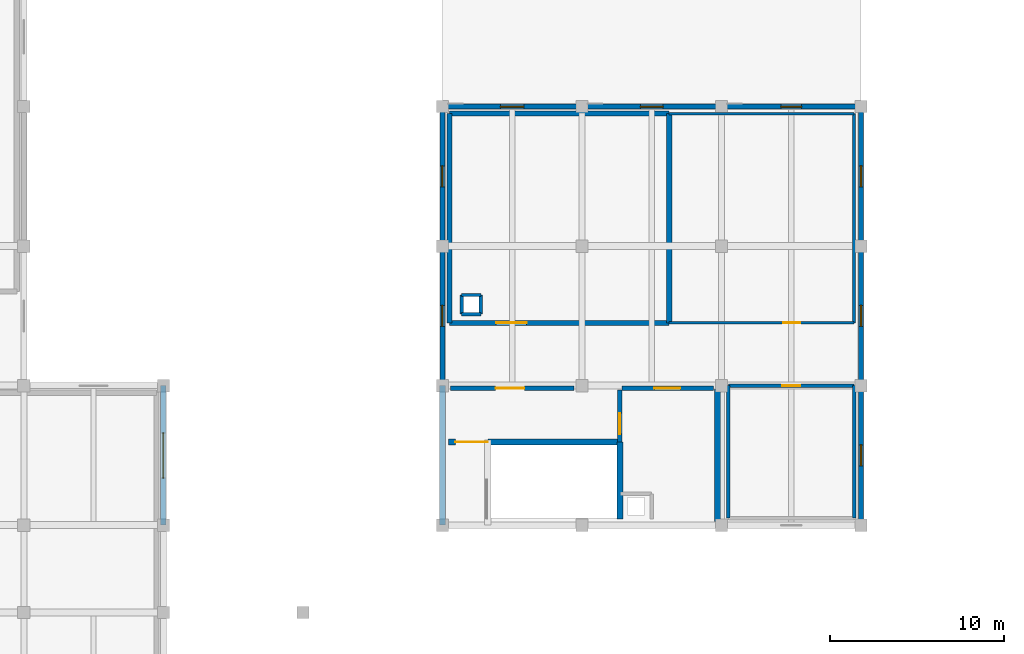
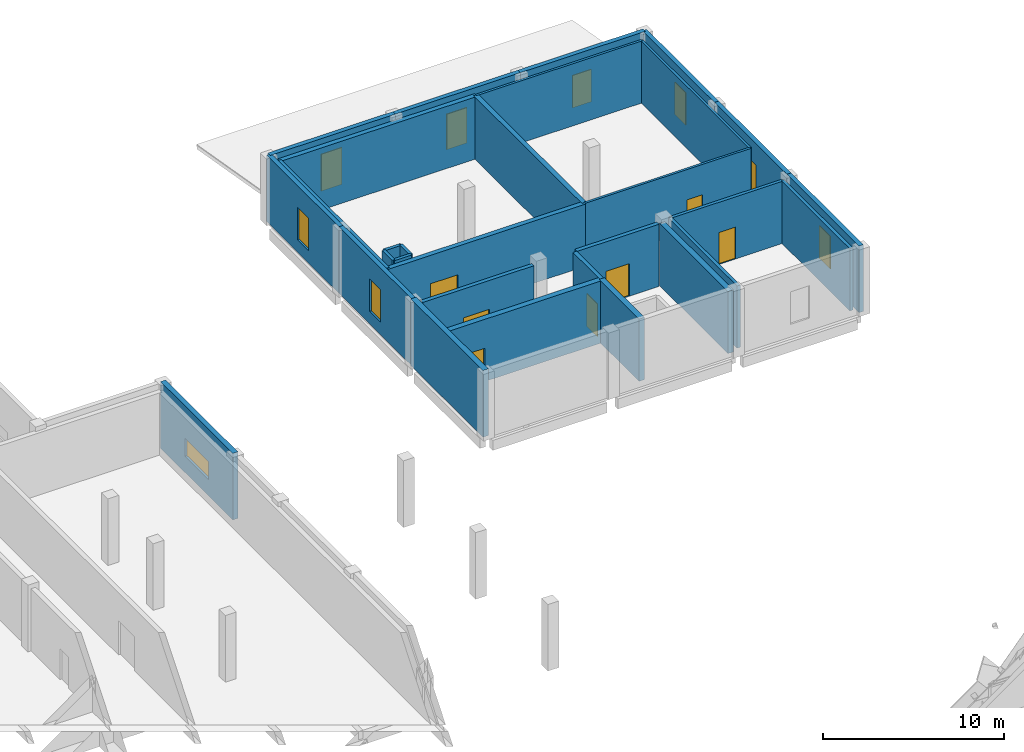
# One storey, part 26 of 37: 30 walls, 9 windows, 7 doors, 16 openings.
"""IFC4 building model written with IfcOpenShell, lengths in metres."""

from ifc_helpers import new_model, si_unit, direction, frame, frame_2d, origin, place, context, subcontext, project, spatial, rectangle, extrude, material, layer, layer_set, type_object, element, fill, save


model = new_model("IFC4")

# Units and contexts
model_context = context("Model", 3, precision=1e-05, world=origin(), true_north=direction((0.0, 1.0)))
body_context = subcontext(model_context, "Body", "Model", "MODEL_VIEW")
ifc_project = project(units=[si_unit("LENGTHUNIT", "METRE"), si_unit("AREAUNIT", "SQUARE_METRE"), si_unit("VOLUMEUNIT", "CUBIC_METRE"), si_unit("PLANEANGLEUNIT", "RADIAN"), si_unit("MASSUNIT", "GRAM", prefix="KILO")], contexts=[model_context])

# Site, building, storey
site_placement = place(None, origin())
site = spatial("IfcSite", under=ifc_project, at=site_placement, CompositionType="ELEMENT")
building_placement = place(site_placement, origin())
building = spatial("IfcBuilding", under=site, at=building_placement, Name="Qorikala Patio Media Centre", CompositionType="ELEMENT")
storey_placement = place(building_placement, frame((0.0, 0.0, 14.39990234375)))
storey = spatial("IfcBuildingStorey", under=building, at=storey_placement, Name="L03", CompositionType="ELEMENT", Elevation=14.39990234375)

# Wall, opening, door
ifc_material_1 = material(Name="Concrete C35/45", Category="concrete")
ifc_layer_1 = layer(ifc_material_1, 0.300048828125)
ifc_layer_set_1 = layer_set([ifc_layer_1], Name="Concrete C35/45")
wall_type_1 = type_object("IfcWallType", Name="WL-AC-300", PredefinedType="SHEAR", material=ifc_layer_set_1)
wall_1_placement = place(storey_placement, frame((51.39990234375, 75.60009765625, 0.0), z_axis=(0.0, 0.0, 1.0), x_axis=(1.0, 0.0, 0.0)))
wall_1 = element("IfcWall", 1, at=wall_1_placement, inside=storey, type_object=wall_type_1, Name="L03 Interior Wall WINT-L03-RAD2-S", PredefinedType="SHEAR", context=body_context, shape_type="SweptSolid", body=[
    extrude(rectangle(XDim=12.60009765625, YDim=0.300048828125, at=frame_2d((6.300048828125, 0.0))), origin(), (0.0, 0.0, 1.0), 4.2001953125),
])
opening_1_placement = place(wall_1_placement, frame((2.68408203125, 0.0, 0.0)))
opening_1 = element("IfcOpeningElement", 2, at=opening_1_placement, cuts=wall_1, Name="Opening D298", PredefinedType="OPENING", context=body_context, shape_type="SweptSolid", body=[
    extrude(rectangle(XDim=1.75, YDim=2.280029296875, at=frame_2d((0.875, 1.14013671875))), frame((0.0, 0.159912109375, 0.0), z_axis=(0.0, -1.0, 0.0), x_axis=(1.0, 0.0, 0.0)), (0.0, 0.0, 1.0), 0.320068359375),
])
ifc_material_2 = material(Name="Powder-Coated Acoustic Fire Steel", Category="steel")
door_type_1 = type_object("IfcDoorType", Name="DR-FD60-175X228", OperationType="DOUBLE_DOOR_SINGLE_SWING", PredefinedType="DOOR", material=ifc_material_2)
door_1_placement = place(opening_1_placement, origin())
door_1 = element("IfcDoor", 3, at=door_1_placement, inside=storey, type_object=door_type_1, Name="Live Radio Broadcast Studio 2 Door 087", OperationType="DOUBLE_DOOR_SINGLE_SWING", OverallHeight=2.280029296875, OverallWidth=1.75, PredefinedType="DOOR", context=body_context, shape_type="SweptSolid", body=[
    extrude(rectangle(XDim=1.75, YDim=2.280029296875, at=frame_2d((0.875, 1.14013671875))), frame((0.0, 0.02490234375, 0.0), z_axis=(0.0, -1.0, 0.0), x_axis=(1.0, 0.0, 0.0)), (0.0, 0.0, 1.0), 0.050048828125),
])
fill(opening_1, door_1)

# Walls
wall_2_placement = place(storey_placement, frame((64.0, 75.60009765625, 0.0), z_axis=(0.0, 0.0, 1.0), x_axis=(0.0, 1.0, 0.0)))
element("IfcWall", 4, at=wall_2_placement, inside=storey, type_object=wall_type_1, Name="L03 Interior Wall WINT-L03-RAD2-E", PredefinedType="SHEAR", context=body_context, shape_type="SweptSolid", body=[
    extrude(rectangle(XDim=12.0, YDim=0.300048828125, at=frame_2d((6.0, 0.0))), origin(), (0.0, 0.0, 1.0), 4.2001953125),
])
wall_3_placement = place(storey_placement, frame((51.39990234375, 87.60009765625, 0.0), z_axis=(0.0, 0.0, 1.0), x_axis=(1.0, 0.0, 0.0)))
element("IfcWall", 5, at=wall_3_placement, inside=storey, type_object=wall_type_1, Name="L03 Interior Wall WINT-L03-RAD2-N", PredefinedType="SHEAR", context=body_context, shape_type="SweptSolid", body=[
    extrude(rectangle(XDim=12.60009765625, YDim=0.300048828125, at=frame_2d((6.300048828125, 0.0))), origin(), (0.0, 0.0, 1.0), 4.2001953125),
])
wall_4_placement = place(storey_placement, frame((51.39990234375, 75.60009765625, 0.0), z_axis=(0.0, 0.0, 1.0), x_axis=(0.0, 1.0, 0.0)))
element("IfcWall", 6, at=wall_4_placement, inside=storey, type_object=wall_type_1, Name="L03 Interior Wall WINT-L03-RAD2-W", PredefinedType="SHEAR", context=body_context, shape_type="SweptSolid", body=[
    extrude(rectangle(XDim=12.0, YDim=0.300048828125, at=frame_2d((6.0, 0.0))), origin(), (0.0, 0.0, 1.0), 4.2001953125),
])
ifc_layer_2 = layer(ifc_material_1, 0.35009765625)
ifc_layer_set_2 = layer_set([ifc_layer_2], Name="Concrete C35/45")
wall_type_2 = type_object("IfcWallType", Name="WL-CORE-350", PredefinedType="SHEAR", material=ifc_layer_set_2)
wall_5_placement = place(storey_placement, frame((51.0, 64.0, 0.0), z_axis=(0.0, 0.0, 1.0), x_axis=(0.0, 1.0, 0.0)))
element("IfcWall", 7, at=wall_5_placement, inside=storey, type_object=wall_type_2, Name="L03 Core C6 Exterior Shear Wall", PredefinedType="SHEAR", context=body_context, shape_type="SweptSolid", body=[
    extrude(rectangle(XDim=8.0, YDim=0.35009765625, at=frame_2d((4.0, 0.0))), origin(), (0.0, 0.0, 1.0), 4.5),
])
wall_6_placement = place(storey_placement, frame((61.175048828125, 64.35009765625, 0.0), z_axis=(0.0, 0.0, 1.0), x_axis=(0.0, 1.0, 0.0)))
element("IfcWall", 8, at=wall_6_placement, inside=storey, type_object=wall_type_2, Name="L03 Interior Wall CW-L03-C6-SE", PredefinedType="SHEAR", context=body_context, shape_type="SweptSolid", body=[
    extrude(rectangle(XDim=4.4248046875, YDim=0.35009765625, at=frame_2d((2.21240234375, 0.0))), origin(), (0.0, 0.0, 1.0), 4.2001953125),
])
wall_7_placement = place(storey_placement, frame((66.77490234375, 64.199951171875, 0.0), z_axis=(0.0, 0.0, 1.0), x_axis=(0.0, 1.0, 0.0)))
element("IfcWall", 9, at=wall_7_placement, inside=storey, type_object=wall_type_2, Name="L03 Interior Wall CW-L03-C6-EE", PredefinedType="SHEAR", context=body_context, shape_type="SweptSolid", body=[
    extrude(rectangle(XDim=7.60009765625, YDim=0.35009765625, at=frame_2d((3.800048828125, 0.0))), origin(), (0.0, 0.0, 1.0), 4.2001953125),
])

# Wall, opening, door
wall_8_placement = place(storey_placement, frame((51.35009765625, 68.77490234375, 0.0), z_axis=(0.0, 0.0, 1.0), x_axis=(1.0, 0.0, 0.0)))
wall_8 = element("IfcWall", 10, at=wall_8_placement, inside=storey, type_object=wall_type_2, Name="L03 Interior Wall CW-L03-C6-SN", PredefinedType="SHEAR", context=body_context, shape_type="SweptSolid", body=[
    extrude(rectangle(XDim=9.824951171875, YDim=0.35009765625, at=frame_2d((4.91259765625, 0.0))), origin(), (0.0, 0.0, 1.0), 4.2001953125),
])
opening_2_placement = place(wall_8_placement, frame((0.39990234375, 0.0, 0.0)))
opening_2 = element("IfcOpeningElement", 11, at=opening_2_placement, cuts=wall_8, Name="Opening D192", PredefinedType="OPENING", context=body_context, shape_type="SweptSolid", body=[
    extrude(rectangle(XDim=1.85009765625, YDim=2.25, at=frame_2d((0.925048828125, 1.125))), frame((0.0, 0.18505859375, 0.0), z_axis=(0.0, -1.0, 0.0), x_axis=(1.0, 0.0, 0.0)), (0.0, 0.0, 1.0), 0.3701171875),
])
door_type_2 = type_object("IfcDoorType", Name="DR-FD60-185X225", OperationType="DOUBLE_DOOR_SINGLE_SWING", PredefinedType="DOOR", material=ifc_material_2)
door_2_placement = place(opening_2_placement, origin())
door_2 = element("IfcDoor", 12, at=door_2_placement, inside=storey, type_object=door_type_2, Name="L03 Stair ST-6 Fire Door", OperationType="DOUBLE_DOOR_SINGLE_SWING", OverallHeight=2.25, OverallWidth=1.85009765625, PredefinedType="DOOR", context=body_context, shape_type="SweptSolid", body=[
    extrude(rectangle(XDim=1.85009765625, YDim=2.25, at=frame_2d((0.925048828125, 1.125))), frame((0.0, 0.02490234375, 0.0), z_axis=(0.0, -1.0, 0.0), x_axis=(1.0, 0.0, 0.0)), (0.0, 0.0, 1.0), 0.050048828125),
])
fill(opening_2, door_2)

# Wall, opening, window
ifc_material_3 = material(Name="Ivory Lime Stucco and Concrete C35/45", Category="concrete")
ifc_layer_3 = layer(ifc_material_3, 0.320068359375)
ifc_layer_set_3 = layer_set([ifc_layer_3], Name="Ivory Lime Stucco and Concrete C35/45")
wall_type_3 = type_object("IfcWallType", Name="WL-EXT-320", PredefinedType="SOLIDWALL", material=ifc_layer_set_3)
wall_9_placement = place(storey_placement, frame((35.0, 72.0, 0.0), z_axis=(0.0, 0.0, 1.0), x_axis=(0.0, -1.0, 0.0)))
wall_9 = element("IfcWall", 13, at=wall_9_placement, inside=storey, type_object=wall_type_3, Name="L03 Exterior Wall WL-L03-EXT-0028", PredefinedType="SOLIDWALL", context=body_context, shape_type="SweptSolid", body=[
    extrude(rectangle(XDim=8.0, YDim=0.320068359375, at=frame_2d((4.0, 0.0))), origin(), (0.0, 0.0, 1.0), 4.5),
])
opening_3_placement = place(wall_9_placement, frame((2.699951171875, 0.0, 1.10009765625)))
opening_3 = element("IfcOpeningElement", 14, at=opening_3_placement, cuts=wall_9, Name="Opening WL-260", PredefinedType="OPENING", context=body_context, shape_type="SweptSolid", body=[
    extrude(rectangle(XDim=2.60009765625, YDim=1.199951171875, at=frame_2d((1.300048828125, 0.60009765625))), frame((0.0, 0.169921875, 0.0), z_axis=(0.0, -1.0, 0.0), x_axis=(1.0, 0.0, 0.0)), (0.0, 0.0, 1.0), 0.340087890625),
])
ifc_material_4 = material(Name="Acoustic Laminated Low-E Glass", Category="glass")
window_type_1 = type_object("IfcWindowType", Name="WN-CL-260X120", PartitioningType="SINGLE_PANEL", PredefinedType="WINDOW", material=ifc_material_4)
window_1_placement = place(opening_3_placement, origin())
window_1 = element("IfcWindow", 15, at=window_1_placement, inside=storey, type_object=window_type_1, Name="L03 High Acoustic Clerestory Window 0204", OverallHeight=1.199951171875, OverallWidth=2.60009765625, PartitioningType="SINGLE_PANEL", PredefinedType="WINDOW", context=body_context, shape_type="SweptSolid", body=[
    extrude(rectangle(XDim=2.60009765625, YDim=1.199951171875, at=frame_2d((1.300048828125, 0.60009765625))), frame((0.0, 0.030029296875, 0.0), z_axis=(0.0, -1.0, 0.0), x_axis=(1.0, 0.0, 0.0)), (0.0, 0.0, 1.0), 0.06005859375),
])
fill(opening_3, window_1)

# Wall, opening, door
ifc_layer_4 = layer(ifc_material_1, 0.25)
ifc_layer_set_4 = layer_set([ifc_layer_4], Name="Concrete C35/45")
wall_type_4 = type_object("IfcWallType", Name="WL-FFL-250", PredefinedType="PARTITIONING", material=ifc_layer_set_4)
wall_10_placement = place(storey_placement, frame((61.175048828125, 68.77490234375, 0.0), z_axis=(0.0, 0.0, 1.0), x_axis=(0.0, 1.0, 0.0)))
wall_10 = element("IfcWall", 16, at=wall_10_placement, inside=storey, type_object=wall_type_4, Name="L03 Interior Wall CW-L03-C6-LBD", PredefinedType="PARTITIONING", context=body_context, shape_type="SweptSolid", body=[
    extrude(rectangle(XDim=2.97509765625, YDim=0.25, at=frame_2d((1.487548828125, 0.0))), origin(), (0.0, 0.0, 1.0), 4.2001953125),
])
opening_4_placement = place(wall_10_placement, frame((0.449951171875, 0.0, 0.0)))
opening_4 = element("IfcOpeningElement", 17, at=opening_4_placement, cuts=wall_10, Name="Opening D193", PredefinedType="OPENING", context=body_context, shape_type="SweptSolid", body=[
    extrude(rectangle(XDim=1.199951171875, YDim=2.199951171875, at=frame_2d((0.60009765625, 1.10009765625))), frame((0.0, 0.135009765625, 0.0), z_axis=(0.0, -1.0, 0.0), x_axis=(1.0, 0.0, 0.0)), (0.0, 0.0, 1.0), 0.27001953125),
])
ifc_material_5 = material(Name="Acoustic Fire Timber and Steel", Category="steel")
door_type_3 = type_object("IfcDoorType", Name="DR-FD60-120X220", OperationType="NOTDEFINED", PredefinedType="DOOR", material=ifc_material_5)
door_3_placement = place(opening_4_placement, origin())
door_3 = element("IfcDoor", 18, at=door_3_placement, inside=storey, type_object=door_type_3, Name="L03 Core C6 Firefighting Lobby Cross Door", OperationType="SINGLE_SWING_LEFT", OverallHeight=2.199951171875, OverallWidth=1.199951171875, PredefinedType="DOOR", context=body_context, shape_type="SweptSolid", body=[
    extrude(rectangle(XDim=1.199951171875, YDim=2.199951171875, at=frame_2d((0.60009765625, 1.10009765625))), frame((0.0, 0.02490234375, 0.0), z_axis=(0.0, -1.0, 0.0), x_axis=(1.0, 0.0, 0.0)), (0.0, 0.0, 1.0), 0.050048828125),
])
fill(opening_4, door_3)

wall_11_placement = place(storey_placement, frame((51.449951171875, 71.85009765625, 0.0), z_axis=(0.0, 0.0, 1.0), x_axis=(1.0, 0.0, 0.0)))
wall_11 = element("IfcWall", 19, at=wall_11_placement, inside=storey, type_object=wall_type_4, Name="L03 Interior Wall CW-L03-C6-CN1", PredefinedType="PARTITIONING", context=body_context, shape_type="SweptSolid", body=[
    extrude(rectangle(XDim=7.10009765625, YDim=0.25, at=frame_2d((3.550048828125, 0.0))), origin(), (0.0, 0.0, 1.0), 4.2001953125),
])
opening_5_placement = place(wall_11_placement, frame((2.60009765625, 0.0, 0.0)))
opening_5 = element("IfcOpeningElement", 20, at=opening_5_placement, cuts=wall_11, Name="Opening D194", PredefinedType="OPENING", context=body_context, shape_type="SweptSolid", body=[
    extrude(rectangle(XDim=1.64990234375, YDim=2.25, at=frame_2d((0.824951171875, 1.125))), frame((0.0, 0.135009765625, 0.0), z_axis=(0.0, -1.0, 0.0), x_axis=(1.0, 0.0, 0.0)), (0.0, 0.0, 1.0), 0.27001953125),
])
door_type_4 = type_object("IfcDoorType", Name="DR-FD60-165X225", OperationType="DOUBLE_DOOR_SINGLE_SWING", PredefinedType="DOOR", material=ifc_material_2)
door_4_placement = place(opening_5_placement, frame((1.64990234375, 0.0, 0.0), z_axis=(0.0, 0.0, 1.0), x_axis=(-1.0, 0.0, 0.0)))
door_4 = element("IfcDoor", 21, at=door_4_placement, inside=storey, type_object=door_type_4, Name="L03 Core C6 Vestibule Door", OperationType="DOUBLE_DOOR_SINGLE_SWING", OverallHeight=2.25, OverallWidth=1.64990234375, PredefinedType="DOOR", context=body_context, shape_type="SweptSolid", body=[
    extrude(rectangle(XDim=1.64990234375, YDim=2.25, at=frame_2d((0.824951171875, 1.125))), frame((0.0, 0.02490234375, 0.0), z_axis=(0.0, -1.0, 0.0), x_axis=(1.0, 0.0, 0.0)), (0.0, 0.0, 1.0), 0.050048828125),
])
fill(opening_5, door_4)

wall_12_placement = place(storey_placement, frame((61.300048828125, 71.85009765625, 0.0), z_axis=(0.0, 0.0, 1.0), x_axis=(1.0, 0.0, 0.0)))
wall_12 = element("IfcWall", 22, at=wall_12_placement, inside=storey, type_object=wall_type_4, Name="L03 Interior Wall CW-L03-C6-CN2", PredefinedType="PARTITIONING", context=body_context, shape_type="SweptSolid", body=[
    extrude(rectangle(XDim=5.25, YDim=0.25, at=frame_2d((2.625, 0.0))), origin(), (0.0, 0.0, 1.0), 4.2001953125),
])
opening_6_placement = place(wall_12_placement, frame((1.85009765625, 0.0, 0.0)))
opening_6 = element("IfcOpeningElement", 23, at=opening_6_placement, cuts=wall_12, Name="Opening D195", PredefinedType="OPENING", context=body_context, shape_type="SweptSolid", body=[
    extrude(rectangle(XDim=1.5, YDim=2.199951171875, at=frame_2d((0.75, 1.10009765625))), frame((0.0, 0.135009765625, 0.0), z_axis=(0.0, -1.0, 0.0), x_axis=(1.0, 0.0, 0.0)), (0.0, 0.0, 1.0), 0.27001953125),
])
door_type_5 = type_object("IfcDoorType", Name="DR-FD60-150X220", OperationType="DOUBLE_DOOR_SINGLE_SWING", PredefinedType="DOOR", material=ifc_material_2)
door_5_placement = place(opening_6_placement, origin())
door_5 = element("IfcDoor", 24, at=door_5_placement, inside=storey, type_object=door_type_5, Name="L03 Core C6 Firefighting Lobby Door", OperationType="DOUBLE_DOOR_SINGLE_SWING", OverallHeight=2.199951171875, OverallWidth=1.5, PredefinedType="DOOR", context=body_context, shape_type="SweptSolid", body=[
    extrude(rectangle(XDim=1.5, YDim=2.199951171875, at=frame_2d((0.75, 1.10009765625))), frame((0.0, 0.02490234375, 0.0), z_axis=(0.0, -1.0, 0.0), x_axis=(1.0, 0.0, 0.0)), (0.0, 0.0, 1.0), 0.050048828125),
])
fill(opening_6, door_5)

# Wall, opening, window
ifc_material_6 = material(Name="Warm Ochre Lime Stucco and Concrete C35/45", Category="concrete")
ifc_layer_5 = layer(ifc_material_6, 0.280029296875)
ifc_layer_set_5 = layer_set([ifc_layer_5], Name="Warm Ochre Lime Stucco and Concrete C35/45")
wall_type_5 = type_object("IfcWallType", Name="WL-OCHRE-280", PredefinedType="SOLIDWALL", material=ifc_layer_set_5)
wall_13_placement = place(storey_placement, frame((75.0, 88.0, 0.0), z_axis=(0.0, 0.0, 1.0), x_axis=(0.0, -1.0, 0.0)))
wall_13 = element("IfcWall", 25, at=wall_13_placement, inside=storey, type_object=wall_type_5, Name="L03 Exterior Wall WL-L03-EXT-0035", PredefinedType="SOLIDWALL", context=body_context, shape_type="SweptSolid", body=[
    extrude(rectangle(XDim=8.0, YDim=0.280029296875, at=frame_2d((4.0, 0.0))), origin(), (0.0, 0.0, 1.0), 4.5),
])
opening_7_placement = place(wall_13_placement, frame((3.39990234375, 0.0, 0.85009765625)))
opening_7 = element("IfcOpeningElement", 26, at=opening_7_placement, cuts=wall_13, Name="Opening WC-120", PredefinedType="OPENING", context=body_context, shape_type="SweptSolid", body=[
    extrude(rectangle(XDim=1.199951171875, YDim=2.199951171875, at=frame_2d((0.60009765625, 1.10009765625))), frame((0.0, 0.14990234375, 0.0), z_axis=(0.0, -1.0, 0.0), x_axis=(1.0, 0.0, 0.0)), (0.0, 0.0, 1.0), 0.300048828125),
])
ifc_material_7 = material(Name="Bronze Anodised Aluminium and Low-E Glass", Category="aluminium")
window_type_2 = type_object("IfcWindowType", Name="WN-COL-120X220", PartitioningType="SINGLE_PANEL", PredefinedType="WINDOW", material=ifc_material_7)
window_2_placement = place(opening_7_placement, origin())
window_2 = element("IfcWindow", 27, at=window_2_placement, inside=storey, type_object=window_type_2, Name="L03 Colonial Tall Window 0207", OverallHeight=2.199951171875, OverallWidth=1.199951171875, PartitioningType="SINGLE_PANEL", PredefinedType="WINDOW", context=body_context, shape_type="SweptSolid", body=[
    extrude(rectangle(XDim=1.199951171875, YDim=2.199951171875, at=frame_2d((0.60009765625, 1.10009765625))), frame((0.0, 0.030029296875, 0.0), z_axis=(0.0, -1.0, 0.0), x_axis=(1.0, 0.0, 0.0)), (0.0, 0.0, 1.0), 0.06005859375),
])
fill(opening_7, window_2)

wall_14_placement = place(storey_placement, frame((75.0, 80.0, 0.0), z_axis=(0.0, 0.0, 1.0), x_axis=(0.0, -1.0, 0.0)))
wall_14 = element("IfcWall", 28, at=wall_14_placement, inside=storey, type_object=wall_type_5, Name="L03 Exterior Wall WL-L03-EXT-0036", PredefinedType="SOLIDWALL", context=body_context, shape_type="SweptSolid", body=[
    extrude(rectangle(XDim=8.0, YDim=0.280029296875, at=frame_2d((4.0, 0.0))), origin(), (0.0, 0.0, 1.0), 4.5),
])
opening_8_placement = place(wall_14_placement, frame((3.39990234375, 0.0, 0.85009765625)))
opening_8 = element("IfcOpeningElement", 29, at=opening_8_placement, cuts=wall_14, Name="Opening WC-120", PredefinedType="OPENING", context=body_context, shape_type="SweptSolid", body=[
    extrude(rectangle(XDim=1.199951171875, YDim=2.199951171875, at=frame_2d((0.60009765625, 1.10009765625))), frame((0.0, 0.14990234375, 0.0), z_axis=(0.0, -1.0, 0.0), x_axis=(1.0, 0.0, 0.0)), (0.0, 0.0, 1.0), 0.300048828125),
])
window_3_placement = place(opening_8_placement, origin())
window_3 = element("IfcWindow", 30, at=window_3_placement, inside=storey, type_object=window_type_2, Name="L03 Colonial Tall Window 0208", OverallHeight=2.199951171875, OverallWidth=1.199951171875, PartitioningType="SINGLE_PANEL", PredefinedType="WINDOW", context=body_context, shape_type="SweptSolid", body=[
    extrude(rectangle(XDim=1.199951171875, YDim=2.199951171875, at=frame_2d((0.60009765625, 1.10009765625))), frame((0.0, 0.030029296875, 0.0), z_axis=(0.0, -1.0, 0.0), x_axis=(1.0, 0.0, 0.0)), (0.0, 0.0, 1.0), 0.06005859375),
])
fill(opening_8, window_3)

wall_15_placement = place(storey_placement, frame((75.0, 72.0, 0.0), z_axis=(0.0, 0.0, 1.0), x_axis=(0.0, -1.0, 0.0)))
wall_15 = element("IfcWall", 31, at=wall_15_placement, inside=storey, type_object=wall_type_5, Name="L03 Exterior Wall WL-L03-EXT-0037", PredefinedType="SOLIDWALL", context=body_context, shape_type="SweptSolid", body=[
    extrude(rectangle(XDim=8.0, YDim=0.280029296875, at=frame_2d((4.0, 0.0))), origin(), (0.0, 0.0, 1.0), 4.5),
])
opening_9_placement = place(wall_15_placement, frame((3.39990234375, 0.0, 0.85009765625)))
opening_9 = element("IfcOpeningElement", 32, at=opening_9_placement, cuts=wall_15, Name="Opening WC-120", PredefinedType="OPENING", context=body_context, shape_type="SweptSolid", body=[
    extrude(rectangle(XDim=1.199951171875, YDim=2.199951171875, at=frame_2d((0.60009765625, 1.10009765625))), frame((0.0, 0.14990234375, 0.0), z_axis=(0.0, -1.0, 0.0), x_axis=(1.0, 0.0, 0.0)), (0.0, 0.0, 1.0), 0.300048828125),
])
window_4_placement = place(opening_9_placement, origin())
window_4 = element("IfcWindow", 33, at=window_4_placement, inside=storey, type_object=window_type_2, Name="L03 Colonial Tall Window 0209", OverallHeight=2.199951171875, OverallWidth=1.199951171875, PartitioningType="SINGLE_PANEL", PredefinedType="WINDOW", context=body_context, shape_type="SweptSolid", body=[
    extrude(rectangle(XDim=1.199951171875, YDim=2.199951171875, at=frame_2d((0.60009765625, 1.10009765625))), frame((0.0, 0.030029296875, 0.0), z_axis=(0.0, -1.0, 0.0), x_axis=(1.0, 0.0, 0.0)), (0.0, 0.0, 1.0), 0.06005859375),
])
fill(opening_9, window_4)

wall_16_placement = place(storey_placement, frame((51.0, 72.0, 0.0), z_axis=(0.0, 0.0, 1.0), x_axis=(0.0, 1.0, 0.0)))
wall_16 = element("IfcWall", 34, at=wall_16_placement, inside=storey, type_object=wall_type_5, Name="L03 Exterior Wall WL-L03-EXT-0042", PredefinedType="SOLIDWALL", context=body_context, shape_type="SweptSolid", body=[
    extrude(rectangle(XDim=8.0, YDim=0.280029296875, at=frame_2d((4.0, 0.0))), origin(), (0.0, 0.0, 1.0), 4.5),
])
opening_10_placement = place(wall_16_placement, frame((3.39990234375, 0.0, 0.85009765625)))
opening_10 = element("IfcOpeningElement", 35, at=opening_10_placement, cuts=wall_16, Name="Opening WC-120", PredefinedType="OPENING", context=body_context, shape_type="SweptSolid", body=[
    extrude(rectangle(XDim=1.199951171875, YDim=2.199951171875, at=frame_2d((0.60009765625, 1.10009765625))), frame((0.0, 0.14990234375, 0.0), z_axis=(0.0, -1.0, 0.0), x_axis=(1.0, 0.0, 0.0)), (0.0, 0.0, 1.0), 0.300048828125),
])
window_5_placement = place(opening_10_placement, origin())
window_5 = element("IfcWindow", 36, at=window_5_placement, inside=storey, type_object=window_type_2, Name="L03 Colonial Tall Window 0211", OverallHeight=2.199951171875, OverallWidth=1.199951171875, PartitioningType="SINGLE_PANEL", PredefinedType="WINDOW", context=body_context, shape_type="SweptSolid", body=[
    extrude(rectangle(XDim=1.199951171875, YDim=2.199951171875, at=frame_2d((0.60009765625, 1.10009765625))), frame((0.0, 0.030029296875, 0.0), z_axis=(0.0, -1.0, 0.0), x_axis=(1.0, 0.0, 0.0)), (0.0, 0.0, 1.0), 0.06005859375),
])
fill(opening_10, window_5)

wall_17_placement = place(storey_placement, frame((51.0, 80.0, 0.0), z_axis=(0.0, 0.0, 1.0), x_axis=(0.0, 1.0, 0.0)))
wall_17 = element("IfcWall", 37, at=wall_17_placement, inside=storey, type_object=wall_type_5, Name="L03 Exterior Wall WL-L03-EXT-0043", PredefinedType="SOLIDWALL", context=body_context, shape_type="SweptSolid", body=[
    extrude(rectangle(XDim=8.0, YDim=0.280029296875, at=frame_2d((4.0, 0.0))), origin(), (0.0, 0.0, 1.0), 4.5),
])
opening_11_placement = place(wall_17_placement, frame((3.39990234375, 0.0, 0.85009765625)))
opening_11 = element("IfcOpeningElement", 38, at=opening_11_placement, cuts=wall_17, Name="Opening WC-120", PredefinedType="OPENING", context=body_context, shape_type="SweptSolid", body=[
    extrude(rectangle(XDim=1.199951171875, YDim=2.199951171875, at=frame_2d((0.60009765625, 1.10009765625))), frame((0.0, 0.14990234375, 0.0), z_axis=(0.0, -1.0, 0.0), x_axis=(1.0, 0.0, 0.0)), (0.0, 0.0, 1.0), 0.300048828125),
])
window_6_placement = place(opening_11_placement, origin())
window_6 = element("IfcWindow", 39, at=window_6_placement, inside=storey, type_object=window_type_2, Name="L03 Colonial Tall Window 0212", OverallHeight=2.199951171875, OverallWidth=1.199951171875, PartitioningType="SINGLE_PANEL", PredefinedType="WINDOW", context=body_context, shape_type="SweptSolid", body=[
    extrude(rectangle(XDim=1.199951171875, YDim=2.199951171875, at=frame_2d((0.60009765625, 1.10009765625))), frame((0.0, 0.030029296875, 0.0), z_axis=(0.0, -1.0, 0.0), x_axis=(1.0, 0.0, 0.0)), (0.0, 0.0, 1.0), 0.06005859375),
])
fill(opening_11, window_6)

wall_18_placement = place(storey_placement, frame((51.0, 88.0, 0.0), z_axis=(0.0, 0.0, 1.0), x_axis=(1.0, 0.0, 0.0)))
wall_18 = element("IfcWall", 40, at=wall_18_placement, inside=storey, type_object=wall_type_5, Name="L03 Exterior Wall WL-L03-EXT-0044", PredefinedType="SOLIDWALL", context=body_context, shape_type="SweptSolid", body=[
    extrude(rectangle(XDim=8.0, YDim=0.280029296875, at=frame_2d((4.0, 0.0))), origin(), (0.0, 0.0, 1.0), 4.5),
])
opening_12_placement = place(wall_18_placement, frame((3.330078125, 0.0, 0.85009765625)))
opening_12 = element("IfcOpeningElement", 41, at=opening_12_placement, cuts=wall_18, Name="Opening WC-134", PredefinedType="OPENING", context=body_context, shape_type="SweptSolid", body=[
    extrude(rectangle(XDim=1.340087890625, YDim=2.5, at=frame_2d((0.669921875, 1.25))), frame((0.0, 0.14990234375, 0.0), z_axis=(0.0, -1.0, 0.0), x_axis=(1.0, 0.0, 0.0)), (0.0, 0.0, 1.0), 0.300048828125),
])
window_type_3 = type_object("IfcWindowType", Name="WN-COL-134X250", PartitioningType="SINGLE_PANEL", PredefinedType="WINDOW", material=ifc_material_7)
window_7_placement = place(opening_12_placement, origin())
window_7 = element("IfcWindow", 42, at=window_7_placement, inside=storey, type_object=window_type_3, Name="L03 Colonial Tall Window 0213", OverallHeight=2.5, OverallWidth=1.340087890625, PartitioningType="SINGLE_PANEL", PredefinedType="WINDOW", context=body_context, shape_type="SweptSolid", body=[
    extrude(rectangle(XDim=1.340087890625, YDim=2.5, at=frame_2d((0.669921875, 1.25))), frame((0.0, 0.030029296875, 0.0), z_axis=(0.0, -1.0, 0.0), x_axis=(1.0, 0.0, 0.0)), (0.0, 0.0, 1.0), 0.06005859375),
])
fill(opening_12, window_7)

wall_19_placement = place(storey_placement, frame((59.0, 88.0, 0.0), z_axis=(0.0, 0.0, 1.0), x_axis=(1.0, 0.0, 0.0)))
wall_19 = element("IfcWall", 43, at=wall_19_placement, inside=storey, type_object=wall_type_5, Name="L03 Exterior Wall WL-L03-EXT-0045", PredefinedType="SOLIDWALL", context=body_context, shape_type="SweptSolid", body=[
    extrude(rectangle(XDim=8.0, YDim=0.280029296875, at=frame_2d((4.0, 0.0))), origin(), (0.0, 0.0, 1.0), 4.5),
])
opening_13_placement = place(wall_19_placement, frame((3.35009765625, 0.0, 0.85009765625)))
opening_13 = element("IfcOpeningElement", 44, at=opening_13_placement, cuts=wall_19, Name="Opening WC-130", PredefinedType="OPENING", context=body_context, shape_type="SweptSolid", body=[
    extrude(rectangle(XDim=1.300048828125, YDim=2.39990234375, at=frame_2d((0.64990234375, 1.199951171875))), frame((0.0, 0.14990234375, 0.0), z_axis=(0.0, -1.0, 0.0), x_axis=(1.0, 0.0, 0.0)), (0.0, 0.0, 1.0), 0.300048828125),
])
window_type_4 = type_object("IfcWindowType", Name="WN-COL-130X240", PartitioningType="SINGLE_PANEL", PredefinedType="WINDOW", material=ifc_material_7)
window_8_placement = place(opening_13_placement, origin())
window_8 = element("IfcWindow", 45, at=window_8_placement, inside=storey, type_object=window_type_4, Name="L03 Colonial Tall Window 0214", OverallHeight=2.39990234375, OverallWidth=1.300048828125, PartitioningType="SINGLE_PANEL", PredefinedType="WINDOW", context=body_context, shape_type="SweptSolid", body=[
    extrude(rectangle(XDim=1.300048828125, YDim=2.39990234375, at=frame_2d((0.64990234375, 1.199951171875))), frame((0.0, 0.030029296875, 0.0), z_axis=(0.0, -1.0, 0.0), x_axis=(1.0, 0.0, 0.0)), (0.0, 0.0, 1.0), 0.06005859375),
])
fill(opening_13, window_8)

wall_20_placement = place(storey_placement, frame((67.0, 88.0, 0.0), z_axis=(0.0, 0.0, 1.0), x_axis=(1.0, 0.0, 0.0)))
wall_20 = element("IfcWall", 46, at=wall_20_placement, inside=storey, type_object=wall_type_5, Name="L03 Exterior Wall WL-L03-EXT-0046", PredefinedType="SOLIDWALL", context=body_context, shape_type="SweptSolid", body=[
    extrude(rectangle(XDim=8.0, YDim=0.280029296875, at=frame_2d((4.0, 0.0))), origin(), (0.0, 0.0, 1.0), 4.5),
])
opening_14_placement = place(wall_20_placement, frame((3.39990234375, 0.0, 0.85009765625)))
opening_14 = element("IfcOpeningElement", 47, at=opening_14_placement, cuts=wall_20, Name="Opening WC-120", PredefinedType="OPENING", context=body_context, shape_type="SweptSolid", body=[
    extrude(rectangle(XDim=1.199951171875, YDim=2.199951171875, at=frame_2d((0.60009765625, 1.10009765625))), frame((0.0, 0.14990234375, 0.0), z_axis=(0.0, -1.0, 0.0), x_axis=(1.0, 0.0, 0.0)), (0.0, 0.0, 1.0), 0.300048828125),
])
window_9_placement = place(opening_14_placement, origin())
window_9 = element("IfcWindow", 48, at=window_9_placement, inside=storey, type_object=window_type_2, Name="L03 Colonial Tall Window 0215", OverallHeight=2.199951171875, OverallWidth=1.199951171875, PartitioningType="SINGLE_PANEL", PredefinedType="WINDOW", context=body_context, shape_type="SweptSolid", body=[
    extrude(rectangle(XDim=1.199951171875, YDim=2.199951171875, at=frame_2d((0.60009765625, 1.10009765625))), frame((0.0, 0.030029296875, 0.0), z_axis=(0.0, -1.0, 0.0), x_axis=(1.0, 0.0, 0.0)), (0.0, 0.0, 1.0), 0.06005859375),
])
fill(opening_14, window_9)

# Wall, opening, door
ifc_material_8 = material(Name="Acoustic Gypsum Stud Partition")
ifc_layer_6 = layer(ifc_material_8, 0.14990234375)
ifc_layer_set_6 = layer_set([ifc_layer_6], Name="Acoustic Gypsum Stud Partition")
wall_type_6 = type_object("IfcWallType", Name="WL-PT-150", PredefinedType="PARTITIONING", material=ifc_layer_set_6)
wall_21_placement = place(storey_placement, frame((64.0, 75.60009765625, 0.0), z_axis=(0.0, 0.0, 1.0), x_axis=(1.0, 0.0, 0.0)))
wall_21 = element("IfcWall", 49, at=wall_21_placement, inside=storey, type_object=wall_type_6, Name="L03 Interior Wall WINT-L03-POD1-S", PredefinedType="PARTITIONING", context=body_context, shape_type="SweptSolid", body=[
    extrude(rectangle(XDim=10.60009765625, YDim=0.14990234375, at=frame_2d((5.300048828125, 0.0))), origin(), (0.0, 0.0, 1.0), 4.2001953125),
])
opening_15_placement = place(wall_21_placement, frame((6.531005859375, 0.0, 0.0)))
opening_15 = element("IfcOpeningElement", 50, at=opening_15_placement, cuts=wall_21, Name="Opening D299", PredefinedType="OPENING", context=body_context, shape_type="SweptSolid", body=[
    extrude(rectangle(XDim=0.97998046875, YDim=2.14990234375, at=frame_2d((0.489990234375, 1.074951171875))), frame((0.0, 0.0849609375, 0.0), z_axis=(0.0, -1.0, 0.0), x_axis=(1.0, 0.0, 0.0)), (0.0, 0.0, 1.0), 0.169921875),
])
ifc_material_9 = material(Name="Solid Oak Timber", Category="wood")
door_type_6 = type_object("IfcDoorType", Name="DR-IN-098X215", OperationType="NOTDEFINED", PredefinedType="DOOR", material=ifc_material_9)
door_6_placement = place(opening_15_placement, origin())
door_6 = element("IfcDoor", 51, at=door_6_placement, inside=storey, type_object=door_type_6, Name="Podcast Studio and Audio Control Door 088", OperationType="SINGLE_SWING_RIGHT", OverallHeight=2.14990234375, OverallWidth=0.97998046875, PredefinedType="DOOR", context=body_context, shape_type="SweptSolid", body=[
    extrude(rectangle(XDim=0.97998046875, YDim=2.14990234375, at=frame_2d((0.489990234375, 1.074951171875))), frame((0.0, 0.02490234375, 0.0), z_axis=(0.0, -1.0, 0.0), x_axis=(1.0, 0.0, 0.0)), (0.0, 0.0, 1.0), 0.050048828125),
])
fill(opening_15, door_6)

# Walls
wall_22_placement = place(storey_placement, frame((74.60009765625, 75.60009765625, 0.0), z_axis=(0.0, 0.0, 1.0), x_axis=(0.0, 1.0, 0.0)))
element("IfcWall", 52, at=wall_22_placement, inside=storey, type_object=wall_type_6, Name="L03 Interior Wall WINT-L03-POD1-E", PredefinedType="PARTITIONING", context=body_context, shape_type="SweptSolid", body=[
    extrude(rectangle(XDim=12.0, YDim=0.14990234375, at=frame_2d((6.0, 0.0))), origin(), (0.0, 0.0, 1.0), 4.2001953125),
])
wall_23_placement = place(storey_placement, frame((64.0, 87.60009765625, 0.0), z_axis=(0.0, 0.0, 1.0), x_axis=(1.0, 0.0, 0.0)))
element("IfcWall", 53, at=wall_23_placement, inside=storey, type_object=wall_type_6, Name="L03 Interior Wall WINT-L03-POD1-N", PredefinedType="PARTITIONING", context=body_context, shape_type="SweptSolid", body=[
    extrude(rectangle(XDim=10.60009765625, YDim=0.14990234375, at=frame_2d((5.300048828125, 0.0))), origin(), (0.0, 0.0, 1.0), 4.2001953125),
])
ifc_material_10 = material(Name="Acoustic Masonry and Plaster Concrete C30/37", Category="masonry")
ifc_layer_7 = layer(ifc_material_10, 0.199951171875)
ifc_layer_set_7 = layer_set([ifc_layer_7], Name="Acoustic Masonry and Plaster Concrete C30/37")
wall_type_7 = type_object("IfcWallType", Name="WL-ST-200", PredefinedType="PARTITIONING", material=ifc_layer_set_7)
wall_24_placement = place(storey_placement, frame((74.60009765625, 64.39990234375, 0.0), z_axis=(0.0, 0.0, 1.0), x_axis=(0.0, 1.0, 0.0)))
element("IfcWall", 54, at=wall_24_placement, inside=storey, type_object=wall_type_7, Name="L03 Interior Wall WINT-L03-RCTR-E", PredefinedType="PARTITIONING", context=body_context, shape_type="SweptSolid", body=[
    extrude(rectangle(XDim=7.60009765625, YDim=0.199951171875, at=frame_2d((3.800048828125, 0.0))), origin(), (0.0, 0.0, 1.0), 4.2001953125),
])

# Wall, opening, door
wall_25_placement = place(storey_placement, frame((67.39990234375, 72.0, 0.0), z_axis=(0.0, 0.0, 1.0), x_axis=(1.0, 0.0, 0.0)))
wall_25 = element("IfcWall", 55, at=wall_25_placement, inside=storey, type_object=wall_type_7, Name="L03 Interior Wall WINT-L03-RCTR-N", PredefinedType="PARTITIONING", context=body_context, shape_type="SweptSolid", body=[
    extrude(rectangle(XDim=7.2001953125, YDim=0.199951171875, at=frame_2d((3.60009765625, 0.0))), origin(), (0.0, 0.0, 1.0), 4.2001953125),
])
opening_16_placement = place(wall_25_placement, frame((3.074951171875, 0.0, 0.0)))
opening_16 = element("IfcOpeningElement", 56, at=opening_16_placement, cuts=wall_25, Name="Opening D300", PredefinedType="OPENING", context=body_context, shape_type="SweptSolid", body=[
    extrude(rectangle(XDim=1.050048828125, YDim=2.159912109375, at=frame_2d((0.52490234375, 1.080078125))), frame((0.0, 0.10986328125, 0.0), z_axis=(0.0, -1.0, 0.0), x_axis=(1.0, 0.0, 0.0)), (0.0, 0.0, 1.0), 0.219970703125),
])
door_type_7 = type_object("IfcDoorType", Name="DR-FD60-105X216", OperationType="NOTDEFINED", PredefinedType="DOOR", material=ifc_material_5)
door_7_placement = place(opening_16_placement, origin())
door_7 = element("IfcDoor", 57, at=door_7_placement, inside=storey, type_object=door_type_7, Name="Radio Master Control Room Door 089", OperationType="SINGLE_SWING_LEFT", OverallHeight=2.159912109375, OverallWidth=1.050048828125, PredefinedType="DOOR", context=body_context, shape_type="SweptSolid", body=[
    extrude(rectangle(XDim=1.050048828125, YDim=2.159912109375, at=frame_2d((0.52490234375, 1.080078125))), frame((0.0, 0.02490234375, 0.0), z_axis=(0.0, -1.0, 0.0), x_axis=(1.0, 0.0, 0.0)), (0.0, 0.0, 1.0), 0.050048828125),
])
fill(opening_16, door_7)

# Walls
wall_26_placement = place(storey_placement, frame((67.39990234375, 64.39990234375, 0.0), z_axis=(0.0, 0.0, 1.0), x_axis=(0.0, 1.0, 0.0)))
element("IfcWall", 58, at=wall_26_placement, inside=storey, type_object=wall_type_7, Name="L03 Interior Wall WINT-L03-RCTR-W", PredefinedType="PARTITIONING", context=body_context, shape_type="SweptSolid", body=[
    extrude(rectangle(XDim=7.60009765625, YDim=0.199951171875, at=frame_2d((3.800048828125, 0.0))), origin(), (0.0, 0.0, 1.0), 4.2001953125),
])
for number, where, z_axis, x_axis, name in (
    (59, (52.10009765625, 76.10009765625, 0.0), (0.0, 0.0, 1.0), (1.0, 0.0, 0.0), "L03 Interior Wall RSW-7-L03-S"),
    (60, (52.10009765625, 77.199951171875, 0.0), (0.0, 0.0, 1.0), (1.0, 0.0, 0.0), "L03 Interior Wall RSW-7-L03-N"),
    (61, (52.10009765625, 76.10009765625, 0.0), (0.0, 0.0, 1.0), (0.0, 1.0, 0.0), "L03 Interior Wall RSW-7-L03-W"),
    (62, (53.199951171875, 76.10009765625, 0.0), (0.0, 0.0, 1.0), (0.0, 1.0, 0.0), "L03 Interior Wall RSW-7-L03-E"),
):
    element("IfcWall", number, at=place(storey_placement, frame(where, z_axis=z_axis, x_axis=x_axis)), inside=storey, type_object=wall_type_7, Name=name, PredefinedType="PARTITIONING", context=body_context, shape_type="SweptSolid", body=[
        extrude(rectangle(XDim=1.099853515625, YDim=0.199951171875, at=frame_2d((0.5498046875, 0.0))), origin(), (0.0, 0.0, 1.0), 4.2001953125),
    ])

save(model, "model.ifc")
